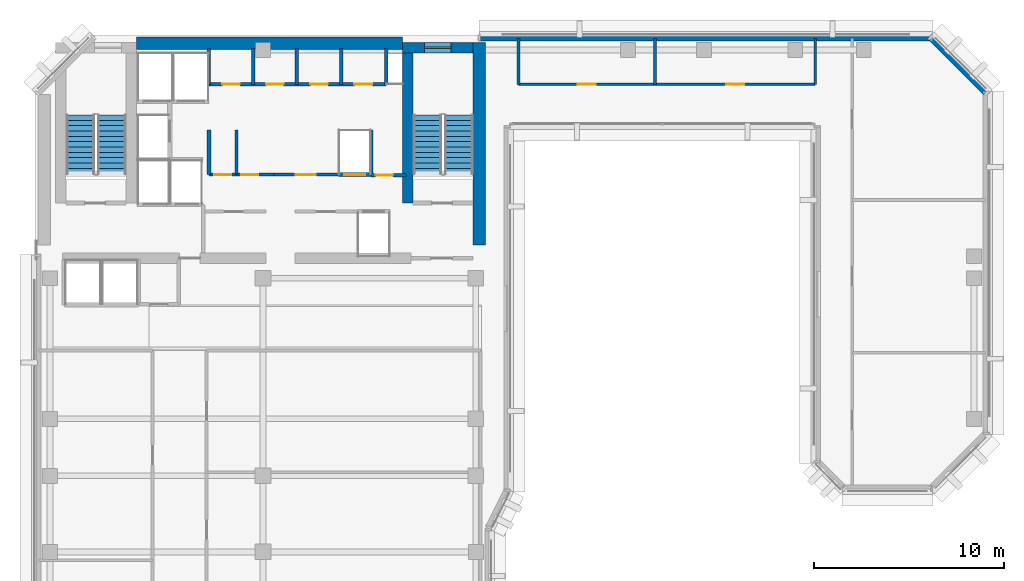
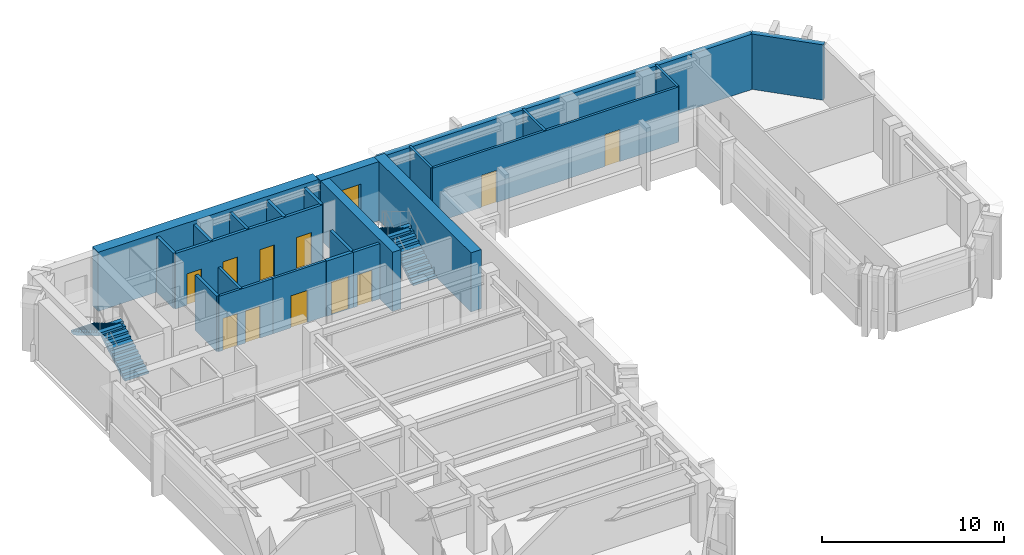
# One storey, part 7 of 11: 23 walls, 11 doors, 4 stair flights, 1 window, 12 openings, 2 elements without a shape of their own.
"""IFC4 building model written with IfcOpenShell, lengths in metres."""

from ifc_helpers import new_model, si_unit, direction, frame, frame_2d, origin, place, context, subcontext, project, spatial, polyline, rectangle, outline, extrude, material, layer, layer_set, type_object, element, fill, aggregate, save


model = new_model("IFC4")

# Units and contexts
model_context = context("Model", 3, precision=1e-05, world=origin(), true_north=direction((0.0, 1.0)))
body_context = subcontext(model_context, "Body", "Model", "MODEL_VIEW")
ifc_project = project(units=[si_unit("LENGTHUNIT", "METRE"), si_unit("AREAUNIT", "SQUARE_METRE"), si_unit("VOLUMEUNIT", "CUBIC_METRE"), si_unit("PLANEANGLEUNIT", "RADIAN"), si_unit("MASSUNIT", "GRAM", prefix="KILO")], contexts=[model_context])

# Site, building, storey
site_placement = place(None, origin())
site = spatial("IfcSite", under=ifc_project, at=site_placement, CompositionType="ELEMENT")
building_placement = place(site_placement, origin())
building = spatial("IfcBuilding", under=site, at=building_placement, Name="Kefirva Bronze Tower", CompositionType="ELEMENT")
storey_placement = place(building_placement, frame((0.0, 0.0, 243.5400390625)))
storey = spatial("IfcBuildingStorey", under=building, at=storey_placement, Name="L59", CompositionType="ELEMENT", Elevation=243.5400390625)

# Wall, opening, door
ifc_material_1 = material(Name="Gypsum acoustic partition")
ifc_layer_1 = layer(ifc_material_1, 0.14990234375, Name="Gypsum acoustic partition")
ifc_layer_set_1 = layer_set([ifc_layer_1], Name="Gypsum acoustic partition")
wall_type_1 = type_object("IfcWallType", Name="Executive Suite Partition 150mm", PredefinedType="PARTITIONING", material=ifc_layer_set_1)
wall_1_placement = place(storey_placement, frame((12.580078125, 38.64990234375, 0.0), z_axis=(0.0, 0.0, 1.0), x_axis=(1.0, 0.0, 0.0)))
wall_1 = element("IfcWall", 1, at=wall_1_placement, inside=storey, type_object=wall_type_1, Name="L59 Partition W-L59-RECMP2", PredefinedType="PARTITIONING", context=body_context, shape_type="SweptSolid", body=[
    extrude(rectangle(XDim=3.3798828125, YDim=0.14990234375, at=frame_2d((1.68994140625, 0.0))), origin(), (0.0, 0.0, 1.0), 3.7099609375),
])
opening_1_placement = place(wall_1_placement, frame((2.199951171875, 0.0, 0.0), z_axis=(0.0, 0.0, 1.0), x_axis=(-1.0, 0.0, 0.0)))
opening_1 = element("IfcOpeningElement", 2, at=opening_1_placement, cuts=wall_1, Name="Opening L59-D-RECMP2", PredefinedType="OPENING", context=body_context, shape_type="SweptSolid", body=[
    extrude(rectangle(XDim=1.050048828125, YDim=2.14990234375, at=frame_2d((0.52490234375, 1.074951171875))), frame((0.0, 0.0849609375, 0.0), z_axis=(0.0, -1.0, 0.0), x_axis=(1.0, 0.0, 0.0)), (0.0, 0.0, 1.0), 0.169921875),
])
ifc_material_2 = material(Name="Acoustic hardwood oak", Category="wood")
door_type_1 = type_object("IfcDoorType", Name="Executive & Boardroom Door 1050x2150", OperationType="NOTDEFINED", PredefinedType="DOOR", material=ifc_material_2)
door_1_placement = place(opening_1_placement, origin())
door_1 = element("IfcDoor", 3, at=door_1_placement, inside=storey, type_object=door_type_1, Name="Door L59-D-RECMP2", OperationType="SINGLE_SWING_LEFT", OverallHeight=2.14990234375, OverallWidth=1.050048828125, PredefinedType="DOOR", context=body_context, shape_type="SweptSolid", body=[
    extrude(rectangle(XDim=1.050048828125, YDim=2.14990234375, at=frame_2d((0.52490234375, 1.074951171875))), frame((0.0, 0.02490234375, 0.0), z_axis=(0.0, -1.0, 0.0), x_axis=(1.0, 0.0, 0.0)), (0.0, 0.0, 1.0), 0.050048828125),
])
fill(opening_1, door_1)

# Wall, openings, doors
wall_2_placement = place(storey_placement, frame((25.449951171875, 43.39990234375, 0.0), z_axis=(0.0, 0.0, 1.0), x_axis=(1.0, 0.0, 0.0)))
wall_2 = element("IfcWall", 4, at=wall_2_placement, inside=storey, type_object=wall_type_1, Name="L59 Partition W-L59-PBRGN", PredefinedType="PARTITIONING", context=body_context, shape_type="SweptSolid", body=[
    extrude(rectangle(XDim=15.60009765625, YDim=0.14990234375, at=frame_2d((7.800048828125, 0.0))), origin(), (0.0, 0.0, 1.0), 3.7099609375),
])
opening_2_placement = place(wall_2_placement, frame((3.113037109375, 0.0, 0.0)))
opening_2 = element("IfcOpeningElement", 5, at=opening_2_placement, cuts=wall_2, Name="Opening L59-D-PBN1", PredefinedType="OPENING", context=body_context, shape_type="SweptSolid", body=[
    extrude(rectangle(XDim=0.949951171875, YDim=2.14990234375, at=frame_2d((0.47509765625, 1.074951171875))), frame((0.0, 0.0849609375, 0.0), z_axis=(0.0, -1.0, 0.0), x_axis=(1.0, 0.0, 0.0)), (0.0, 0.0, 1.0), 0.169921875),
])
opening_3_placement = place(wall_2_placement, frame((10.9130859375, 0.0, 0.0)))
opening_3 = element("IfcOpeningElement", 6, at=opening_3_placement, cuts=wall_2, Name="Opening L59-D-PBN2", PredefinedType="OPENING", context=body_context, shape_type="SweptSolid", body=[
    extrude(rectangle(XDim=0.949951171875, YDim=2.14990234375, at=frame_2d((0.47509765625, 1.074951171875))), frame((0.0, 0.0849609375, 0.0), z_axis=(0.0, -1.0, 0.0), x_axis=(1.0, 0.0, 0.0)), (0.0, 0.0, 1.0), 0.169921875),
])
door_type_2 = type_object("IfcDoorType", Name="Office & Meeting Room Door 950x2150", OperationType="NOTDEFINED", PredefinedType="DOOR", material=ifc_material_2)
door_2_placement = place(opening_2_placement, origin())
door_2 = element("IfcDoor", 7, at=door_2_placement, inside=storey, type_object=door_type_2, Name="Door L59-D-PBN1", OperationType="SINGLE_SWING_LEFT", OverallHeight=2.14990234375, OverallWidth=0.949951171875, PredefinedType="DOOR", context=body_context, shape_type="SweptSolid", body=[
    extrude(rectangle(XDim=0.949951171875, YDim=2.14990234375, at=frame_2d((0.47509765625, 1.074951171875))), frame((0.0, 0.02490234375, 0.0), z_axis=(0.0, -1.0, 0.0), x_axis=(1.0, 0.0, 0.0)), (0.0, 0.0, 1.0), 0.050048828125),
])
fill(opening_2, door_2)
door_3_placement = place(opening_3_placement, origin())
door_3 = element("IfcDoor", 8, at=door_3_placement, inside=storey, type_object=door_type_2, Name="Door L59-D-PBN2", OperationType="SINGLE_SWING_RIGHT", OverallHeight=2.14990234375, OverallWidth=0.949951171875, PredefinedType="DOOR", context=body_context, shape_type="SweptSolid", body=[
    extrude(rectangle(XDim=0.949951171875, YDim=2.14990234375, at=frame_2d((0.47509765625, 1.074951171875))), frame((0.0, 0.02490234375, 0.0), z_axis=(0.0, -1.0, 0.0), x_axis=(1.0, 0.0, 0.0)), (0.0, 0.0, 1.0), 0.050048828125),
])
fill(opening_3, door_3)

# Walls
for number, where, z_axis, x_axis, name in (
    (9, (25.449951171875, 43.39990234375, 0.0), (0.0, 0.0, 1.0), (0.0, 1.0, 0.0), "L59 Partition W-L59-PBRGW"),
    (10, (41.050048828125, 43.39990234375, 0.0), (0.0, 0.0, 1.0), (0.0, 1.0, 0.0), "L59 Partition W-L59-PBRGE"),
    (11, (32.6259765625, 43.39990234375, 0.0), (0.0, 0.0, 1.0), (0.0, 1.0, 0.0), "L59 Partition W-L59-PBND1"),
):
    element("IfcWall", number, at=place(storey_placement, frame(where, z_axis=z_axis, x_axis=x_axis)), inside=storey, type_object=wall_type_1, Name=name, PredefinedType="PARTITIONING", context=body_context, shape_type="SweptSolid", body=[
        extrude(rectangle(XDim=2.41015625, YDim=0.14990234375, at=frame_2d((1.205078125, 0.0))), origin(), (0.0, 0.0, 1.0), 3.7099609375),
    ])
ifc_material_3 = material(Name="Gypsum fireboard shaftwall")
ifc_layer_2 = layer(ifc_material_3, 0.219970703125, Name="Gypsum fireboard shaftwall")
ifc_layer_set_2 = layer_set([ifc_layer_2], Name="Gypsum fireboard shaftwall")
wall_type_2 = type_object("IfcWallType", Name="Fire-Rated Shaft Enclosure Wall 220mm", PredefinedType="PARTITIONING", material=ifc_layer_set_2)
for number, where, z_axis, x_axis, name in (
    (12, (9.159912109375, 38.64990234375, 0.0), (0.0, 0.0, 1.0), (0.0, 1.0, 0.0), "L59 Partition W-L59-LP3W"),
    (13, (17.679931640625, 38.64990234375, 0.0), (0.0, 0.0, 1.0), (0.0, 1.0, 0.0), "L59 Partition W-L59-HP2E"),
):
    element("IfcWall", number, at=place(storey_placement, frame(where, z_axis=z_axis, x_axis=x_axis)), inside=storey, type_object=wall_type_2, Name=name, PredefinedType="PARTITIONING", context=body_context, shape_type="SweptSolid", body=[
        extrude(rectangle(XDim=2.35009765625, YDim=0.199951171875, at=frame_2d((1.175048828125, 0.0))), origin(), (0.0, 0.0, 1.0), 3.7099609375),
    ])

# Wall, opening, door
wall_3_placement = place(storey_placement, frame((15.97998046875, 38.64990234375, 0.0), z_axis=(0.0, 0.0, 1.0), x_axis=(1.0, 0.0, 0.0)))
wall_3 = element("IfcWall", 14, at=wall_3_placement, inside=storey, type_object=wall_type_2, Name="L59 Partition W-L59-HPN", PredefinedType="PARTITIONING", context=body_context, shape_type="SweptSolid", body=[
    extrude(rectangle(XDim=1.719970703125, YDim=0.219970703125, at=frame_2d((0.85986328125, 0.0))), origin(), (0.0, 0.0, 1.0), 3.7099609375),
])
opening_4_placement = place(wall_3_placement, frame((0.300048828125, 0.0, 0.0)))
opening_4 = element("IfcOpeningElement", 15, at=opening_4_placement, cuts=wall_3, Name="Opening L59-LD-HP2", PredefinedType="OPENING", context=body_context, shape_type="SweptSolid", body=[
    extrude(rectangle(XDim=1.10009765625, YDim=2.199951171875, at=frame_2d((0.550048828125, 1.10009765625))), frame((0.0, 0.1201171875, 0.0), z_axis=(0.0, -1.0, 0.0), x_axis=(1.0, 0.0, 0.0)), (0.0, 0.0, 1.0), 0.239990234375),
])
ifc_material_4 = material(Name="Stainless steel 316", Category="steel")
door_type_3 = type_object("IfcDoorType", Name="Passenger Lift Sliding Landing Door 1100x2200", OperationType="SLIDING_TO_LEFT", PredefinedType="DOOR", material=ifc_material_4)
door_4_placement = place(opening_4_placement, origin())
door_4 = element("IfcDoor", 16, at=door_4_placement, inside=storey, type_object=door_type_3, Name="Door L59-LD-HP2", OperationType="SLIDING_TO_LEFT", OverallHeight=2.199951171875, OverallWidth=1.10009765625, PredefinedType="DOOR", context=body_context, shape_type="SweptSolid", body=[
    extrude(rectangle(XDim=1.10009765625, YDim=2.199951171875, at=frame_2d((0.550048828125, 1.10009765625))), frame((0.0, 0.02490234375, 0.0), z_axis=(0.0, -1.0, 0.0), x_axis=(1.0, 0.0, 0.0)), (0.0, 0.0, 1.0), 0.050048828125),
])
fill(opening_4, door_4)

ifc_material_5 = material(Name="Gypsum fireboard barrier")
ifc_layer_3 = layer(ifc_material_5, 0.199951171875, Name="Gypsum fireboard barrier")
ifc_layer_set_3 = layer_set([ifc_layer_3], Name="Gypsum fireboard barrier")
wall_type_3 = type_object("IfcWallType", Name="Firefighting Lobby Barrier Wall 200mm", PredefinedType="PARTITIONING", material=ifc_layer_set_3)
wall_4_placement = place(storey_placement, frame((17.679931640625, 38.6201171875, 0.0), z_axis=(0.0, 0.0, 1.0), x_axis=(1.0, 0.0, 0.0)))
wall_4 = element("IfcWall", 17, at=wall_4_placement, inside=storey, type_object=wall_type_3, Name="L59 Partition W-L59-CPASS", PredefinedType="PARTITIONING", context=body_context, shape_type="SweptSolid", body=[
    extrude(rectangle(XDim=1.840087890625, YDim=0.179931640625, at=frame_2d((0.919921875, 0.0))), origin(), (0.0, 0.0, 1.0), 3.7099609375),
])
opening_5_placement = place(wall_4_placement, frame((0.239990234375, 0.0, 0.0)))
opening_5 = element("IfcOpeningElement", 18, at=opening_5_placement, cuts=wall_4, Name="Opening L59-D-CPAS", PredefinedType="OPENING", context=body_context, shape_type="SweptSolid", body=[
    extrude(rectangle(XDim=0.919921875, YDim=2.10009765625, at=frame_2d((0.4599609375, 1.050048828125))), frame((0.0, 0.10009765625, 0.0), z_axis=(0.0, -1.0, 0.0), x_axis=(1.0, 0.0, 0.0)), (0.0, 0.0, 1.0), 0.199951171875),
])
ifc_material_6 = material(Name="Moisture-resistant timber", Category="wood")
door_type_4 = type_object("IfcDoorType", Name="Accessible Sanitary & WC Door 920x2100", OperationType="NOTDEFINED", PredefinedType="DOOR", material=ifc_material_6)
door_5_placement = place(opening_5_placement, origin())
door_5 = element("IfcDoor", 19, at=door_5_placement, inside=storey, type_object=door_type_4, Name="Door L59-D-CPAS", OperationType="SINGLE_SWING_LEFT", OverallHeight=2.10009765625, OverallWidth=0.919921875, PredefinedType="DOOR", context=body_context, shape_type="SweptSolid", body=[
    extrude(rectangle(XDim=0.919921875, YDim=2.10009765625, at=frame_2d((0.4599609375, 1.050048828125))), frame((0.0, 0.02490234375, 0.0), z_axis=(0.0, -1.0, 0.0), x_axis=(1.0, 0.0, 0.0)), (0.0, 0.0, 1.0), 0.050048828125),
])
fill(opening_5, door_5)

# Walls
ifc_material_7 = material(Name="Precast concrete C40/50", Category="concrete")
ifc_layer_4 = layer(ifc_material_7, 0.320068359375, Name="Precast concrete C40/50")
ifc_layer_set_4 = layer_set([ifc_layer_4], Name="Precast concrete C40/50")
wall_type_4 = type_object("IfcWallType", Name="Precast Insulated Exterior Wall 320mm", PredefinedType="SOLIDWALL", material=ifc_layer_set_4)
wall_5_placement = place(storey_placement, frame((50.048095703125, 42.92578125, 0.0), z_axis=(0.0, 0.0, 1.0), x_axis=(-0.707136318428, 0.707077242712, 0.0)))
element("IfcWall", 20, at=wall_5_placement, inside=storey, type_object=wall_type_4, Name="L59 Exterior Facade Wall 10", PredefinedType="SOLIDWALL", context=body_context, shape_type="SweptSolid", body=[
    extrude(rectangle(XDim=4.132568359375, YDim=0.320068359375, at=frame_2d((2.06640625, 0.0))), origin(), (0.0, 0.0, 1.0), 3.7099609375),
])
wall_6_placement = place(storey_placement, frame((47.14501953125, 45.840087890625, 0.0), z_axis=(0.0, 0.0, 1.0), x_axis=(-1.0, 0.0, 0.0)))
element("IfcWall", 21, at=wall_6_placement, inside=storey, type_object=wall_type_4, Name="L59 Exterior Facade Wall 11", PredefinedType="SOLIDWALL", context=body_context, shape_type="SweptSolid", body=[
    extrude(rectangle(XDim=23.739990234375, YDim=0.320068359375, at=frame_2d((11.8701171875, 0.0))), origin(), (0.0, 0.0, 1.0), 3.7099609375),
])

# Wall, openings, doors
ifc_layer_5 = layer(ifc_material_1, 0.159912109375, Name="Gypsum acoustic partition")
ifc_layer_set_5 = layer_set([ifc_layer_5], Name="Gypsum acoustic partition")
wall_type_5 = type_object("IfcWallType", Name="Protected Corridor Partition 160mm", PredefinedType="PARTITIONING", material=ifc_layer_set_5)
wall_7_placement = place(storey_placement, frame((9.159912109375, 38.64990234375, 0.0), z_axis=(0.0, 0.0, 1.0), x_axis=(1.0, 0.0, 0.0)))
wall_7 = element("IfcWall", 22, at=wall_7_placement, inside=storey, type_object=wall_type_5, Name="L59 Partition W-L59-RECLP2", PredefinedType="PARTITIONING", context=body_context, shape_type="SweptSolid", body=[
    extrude(rectangle(XDim=3.420166015625, YDim=0.159912109375, at=frame_2d((1.7099609375, 0.0))), origin(), (0.0, 0.0, 1.0), 3.7099609375),
])
opening_6_placement = place(wall_7_placement, frame((1.179931640625, 0.0, 0.0), z_axis=(0.0, 0.0, 1.0), x_axis=(-1.0, 0.0, 0.0)))
opening_6 = element("IfcOpeningElement", 23, at=opening_6_placement, cuts=wall_7, Name="Opening L59-D-RECLP2A", PredefinedType="OPENING", context=body_context, shape_type="SweptSolid", body=[
    extrude(rectangle(XDim=0.89990234375, YDim=2.14990234375, at=frame_2d((0.449951171875, 1.074951171875))), frame((0.0, 0.08984375, 0.0), z_axis=(0.0, -1.0, 0.0), x_axis=(1.0, 0.0, 0.0)), (0.0, 0.0, 1.0), 0.179931640625),
])
opening_7_placement = place(wall_7_placement, frame((2.599853515625, 0.0, 0.0), z_axis=(0.0, 0.0, 1.0), x_axis=(-1.0, 0.0, 0.0)))
opening_7 = element("IfcOpeningElement", 24, at=opening_7_placement, cuts=wall_7, Name="Opening L59-D-RECLP2B", PredefinedType="OPENING", context=body_context, shape_type="SweptSolid", body=[
    extrude(rectangle(XDim=0.89990234375, YDim=2.14990234375, at=frame_2d((0.449951171875, 1.074951171875))), frame((0.0, 0.08984375, 0.0), z_axis=(0.0, -1.0, 0.0), x_axis=(1.0, 0.0, 0.0)), (0.0, 0.0, 1.0), 0.179931640625),
])
ifc_material_8 = material(Name="Painted galvanized steel", Category="steel")
door_type_5 = type_object("IfcDoorType", Name="Core Archive & Server Fire Door 900x2150 FD60S", OperationType="NOTDEFINED", PredefinedType="DOOR", material=ifc_material_8)
door_6_placement = place(opening_6_placement, origin())
door_6 = element("IfcDoor", 25, at=door_6_placement, inside=storey, type_object=door_type_5, Name="Door L59-D-RECLP2A", OperationType="SINGLE_SWING_RIGHT", OverallHeight=2.14990234375, OverallWidth=0.89990234375, PredefinedType="DOOR", context=body_context, shape_type="SweptSolid", body=[
    extrude(rectangle(XDim=0.89990234375, YDim=2.14990234375, at=frame_2d((0.449951171875, 1.074951171875))), frame((0.0, 0.02490234375, 0.0), z_axis=(0.0, -1.0, 0.0), x_axis=(1.0, 0.0, 0.0)), (0.0, 0.0, 1.0), 0.050048828125),
])
fill(opening_6, door_6)
door_7_placement = place(opening_7_placement, origin())
door_7 = element("IfcDoor", 26, at=door_7_placement, inside=storey, type_object=door_type_5, Name="Door L59-D-RECLP2B", OperationType="SINGLE_SWING_LEFT", OverallHeight=2.14990234375, OverallWidth=0.89990234375, PredefinedType="DOOR", context=body_context, shape_type="SweptSolid", body=[
    extrude(rectangle(XDim=0.89990234375, YDim=2.14990234375, at=frame_2d((0.449951171875, 1.074951171875))), frame((0.0, 0.02490234375, 0.0), z_axis=(0.0, -1.0, 0.0), x_axis=(1.0, 0.0, 0.0)), (0.0, 0.0, 1.0), 0.050048828125),
])
fill(opening_7, door_7)

# Wall
wall_8_placement = place(storey_placement, frame((10.60009765625, 38.64990234375, 0.0), z_axis=(0.0, 0.0, 1.0), x_axis=(0.0, 1.0, 0.0)))
element("IfcWall", 27, at=wall_8_placement, inside=storey, type_object=wall_type_5, Name="L59 Partition W-L59-RECLP2D", PredefinedType="PARTITIONING", context=body_context, shape_type="SweptSolid", body=[
    extrude(rectangle(XDim=2.35009765625, YDim=0.159912109375, at=frame_2d((1.175048828125, 0.0))), origin(), (0.0, 0.0, 1.0), 3.7099609375),
])

# Wall, opening, window
ifc_material_9 = material(Name="Concrete C50/60", Category="concrete")
ifc_layer_6 = layer(ifc_material_9, 0.550048828125, Name="Concrete C50/60")
ifc_layer_set_6 = layer_set([ifc_layer_6], Name="Concrete C50/60")
wall_type_6 = type_object("IfcWallType", Name="RC Rear Core Exterior Wall 550mm", PredefinedType="SHEAR", material=ifc_layer_set_6)
wall_9_placement = place(storey_placement, frame((19.35009765625, 45.320068359375, 0.0), z_axis=(0.0, 0.0, 1.0), x_axis=(1.0, 0.0, 0.0)))
wall_9 = element("IfcWall", 28, at=wall_9_placement, inside=storey, type_object=wall_type_6, Name="L59 Stair 2 North Shear Wall", PredefinedType="SHEAR", context=body_context, shape_type="SweptSolid", body=[
    extrude(rectangle(XDim=3.68994140625, YDim=0.550048828125, at=frame_2d((1.844970703125, 0.0))), origin(), (0.0, 0.0, 1.0), 3.9599609375),
])
opening_8_placement = place(wall_9_placement, frame((1.14990234375, 0.0, 1.050048828125)))
opening_8 = element("IfcOpeningElement", 29, at=opening_8_placement, cuts=wall_9, Name="Opening WN-03", PredefinedType="OPENING", context=body_context, shape_type="SweptSolid", body=[
    extrude(rectangle(XDim=1.39990234375, YDim=1.800048828125, at=frame_2d((0.699951171875, 0.89990234375))), frame((0.0, 0.28515625, 0.0), z_axis=(0.0, -1.0, 0.0), x_axis=(1.0, 0.0, 0.0)), (0.0, 0.0, 1.0), 0.570068359375),
])
ifc_material_10 = material(Name="Laminated low-E double glazing", Category="glass")
window_type = type_object("IfcWindowType", Name="Rear-Core Stair Daylight Window 1400x1800", PartitioningType="SINGLE_PANEL", PredefinedType="WINDOW", material=ifc_material_10)
window_placement = place(opening_8_placement, origin())
window = element("IfcWindow", 30, at=window_placement, inside=storey, type_object=window_type, Name="L59 Stair 2 Daylight Window", OverallHeight=1.800048828125, OverallWidth=1.39990234375, PartitioningType="SINGLE_PANEL", PredefinedType="WINDOW", context=body_context, shape_type="SweptSolid", body=[
    extrude(rectangle(XDim=1.39990234375, YDim=1.800048828125, at=frame_2d((0.699951171875, 0.89990234375))), frame((0.0, 0.030029296875, 0.0), z_axis=(0.0, -1.0, 0.0), x_axis=(1.0, 0.0, 0.0)), (0.0, 0.0, 1.0), 0.06005859375),
])
fill(opening_8, window)

# Walls
ifc_layer_7 = layer(ifc_material_9, 0.64990234375, Name="Concrete C50/60")
ifc_layer_set_7 = layer_set([ifc_layer_7], Name="Concrete C50/60")
wall_type_7 = type_object("IfcWallType", Name="RC Rear Core Exterior Wall 650mm", PredefinedType="SHEAR", material=ifc_layer_set_7)
wall_10_placement = place(storey_placement, frame((5.360107421875, 45.550048828125, 0.0), z_axis=(0.0, 0.0, 1.0), x_axis=(1.0, 0.0, 0.0)))
element("IfcWall", 31, at=wall_10_placement, inside=storey, type_object=wall_type_7, Name="L59 Rear Core North Shear Wall", PredefinedType="SHEAR", context=body_context, shape_type="SweptSolid", body=[
    extrude(rectangle(XDim=13.97998046875, YDim=0.64990234375, at=frame_2d((6.989990234375, 0.0))), origin(), (0.0, 0.0, 1.0), 3.9599609375),
])
ifc_layer_8 = layer(ifc_material_9, 0.550048828125, Name="Concrete C50/60")
ifc_layer_set_8 = layer_set([ifc_layer_8], Name="Concrete C50/60")
wall_type_8 = type_object("IfcWallType", Name="RC Rear Core Interior Wall 550mm", PredefinedType="SHEAR", material=ifc_layer_set_8)
wall_11_placement = place(storey_placement, frame((19.6201171875, 37.14990234375, 0.0), z_axis=(0.0, 0.0, 1.0), x_axis=(0.0, 1.0, 0.0)))
element("IfcWall", 32, at=wall_11_placement, inside=storey, type_object=wall_type_8, Name="L59 Stair 2 West Shear Wall", PredefinedType="SHEAR", context=body_context, shape_type="SweptSolid", body=[
    extrude(rectangle(XDim=7.89013671875, YDim=0.550048828125, at=frame_2d((3.945068359375, 0.0))), origin(), (0.0, 0.0, 1.0), 3.9599609375),
])
ifc_layer_9 = layer(ifc_material_9, 0.64990234375, Name="Concrete C50/60")
ifc_layer_set_9 = layer_set([ifc_layer_9], Name="Concrete C50/60")
wall_type_9 = type_object("IfcWallType", Name="RC Rear Core Interior Wall 650mm", PredefinedType="SHEAR", material=ifc_layer_set_9)
wall_12_placement = place(storey_placement, frame((23.375, 34.949951171875, 0.0), z_axis=(0.0, 0.0, 1.0), x_axis=(0.0, 1.0, 0.0)))
element("IfcWall", 33, at=wall_12_placement, inside=storey, type_object=wall_type_9, Name="L59 Rear Core East Shear Wall", PredefinedType="SHEAR", context=body_context, shape_type="SweptSolid", body=[
    extrude(rectangle(XDim=10.64013671875, YDim=0.64990234375, at=frame_2d((5.320068359375, 0.0))), origin(), (0.0, 0.0, 1.0), 3.9599609375),
])

# Wall, openings, doors
ifc_material_11 = material(Name="Moisture-resistant partition")
ifc_layer_10 = layer(ifc_material_11, 0.179931640625, Name="Moisture-resistant partition")
ifc_layer_set_10 = layer_set([ifc_layer_10], Name="Moisture-resistant partition")
wall_type_10 = type_object("IfcWallType", Name="Sanitary Plumbing Chase Wall 180mm", PredefinedType="PLUMBINGWALL", material=ifc_layer_set_10)
wall_13_placement = place(storey_placement, frame((9.14990234375, 43.39990234375, 0.0), z_axis=(0.0, 0.0, 1.0), x_axis=(1.0, 0.0, 0.0)))
wall_13 = element("IfcWall", 34, at=wall_13_placement, inside=storey, type_object=wall_type_10, Name="L59 Partition W-L59-SVCS", PredefinedType="PLUMBINGWALL", context=body_context, shape_type="SweptSolid", body=[
    extrude(rectangle(XDim=9.330078125, YDim=0.179931640625, at=frame_2d((4.6650390625, 0.0))), origin(), (0.0, 0.0, 1.0), 3.7099609375),
])
opening_9_placement = place(wall_13_placement, frame((0.719970703125, 0.0, 0.0)))
opening_9 = element("IfcOpeningElement", 35, at=opening_9_placement, cuts=wall_13, Name="Opening L59-D-CSVC1", PredefinedType="OPENING", context=body_context, shape_type="SweptSolid", body=[
    extrude(rectangle(XDim=0.919921875, YDim=2.10009765625, at=frame_2d((0.4599609375, 1.050048828125))), frame((0.0, 0.10009765625, 0.0), z_axis=(0.0, -1.0, 0.0), x_axis=(1.0, 0.0, 0.0)), (0.0, 0.0, 1.0), 0.199951171875),
])
opening_10_placement = place(wall_13_placement, frame((3.02001953125, 0.0, 0.0)))
opening_10 = element("IfcOpeningElement", 36, at=opening_10_placement, cuts=wall_13, Name="Opening L59-D-CSVC2", PredefinedType="OPENING", context=body_context, shape_type="SweptSolid", body=[
    extrude(rectangle(XDim=0.919921875, YDim=2.10009765625, at=frame_2d((0.4599609375, 1.050048828125))), frame((0.0, 0.10009765625, 0.0), z_axis=(0.0, -1.0, 0.0), x_axis=(1.0, 0.0, 0.0)), (0.0, 0.0, 1.0), 0.199951171875),
])
opening_11_placement = place(wall_13_placement, frame((5.340087890625, 0.0, 0.0)))
opening_11 = element("IfcOpeningElement", 37, at=opening_11_placement, cuts=wall_13, Name="Opening L59-D-CSVC3", PredefinedType="OPENING", context=body_context, shape_type="SweptSolid", body=[
    extrude(rectangle(XDim=0.919921875, YDim=2.10009765625, at=frame_2d((0.4599609375, 1.050048828125))), frame((0.0, 0.10009765625, 0.0), z_axis=(0.0, -1.0, 0.0), x_axis=(1.0, 0.0, 0.0)), (0.0, 0.0, 1.0), 0.199951171875),
])
opening_12_placement = place(wall_13_placement, frame((7.659912109375, 0.0, 0.0)))
opening_12 = element("IfcOpeningElement", 38, at=opening_12_placement, cuts=wall_13, Name="Opening L59-D-CSVC4", PredefinedType="OPENING", context=body_context, shape_type="SweptSolid", body=[
    extrude(rectangle(XDim=0.949951171875, YDim=2.10009765625, at=frame_2d((0.47509765625, 1.050048828125))), frame((0.0, 0.10009765625, 0.0), z_axis=(0.0, -1.0, 0.0), x_axis=(1.0, 0.0, 0.0)), (0.0, 0.0, 1.0), 0.199951171875),
])
door_8_placement = place(opening_9_placement, origin())
door_8 = element("IfcDoor", 39, at=door_8_placement, inside=storey, type_object=door_type_4, Name="Door L59-D-CSVC1", OperationType="SINGLE_SWING_RIGHT", OverallHeight=2.10009765625, OverallWidth=0.919921875, PredefinedType="DOOR", context=body_context, shape_type="SweptSolid", body=[
    extrude(rectangle(XDim=0.919921875, YDim=2.10009765625, at=frame_2d((0.4599609375, 1.050048828125))), frame((0.0, 0.02490234375, 0.0), z_axis=(0.0, -1.0, 0.0), x_axis=(1.0, 0.0, 0.0)), (0.0, 0.0, 1.0), 0.050048828125),
])
fill(opening_9, door_8)
door_9_placement = place(opening_10_placement, origin())
door_9 = element("IfcDoor", 40, at=door_9_placement, inside=storey, type_object=door_type_4, Name="Door L59-D-CSVC2", OperationType="SINGLE_SWING_LEFT", OverallHeight=2.10009765625, OverallWidth=0.919921875, PredefinedType="DOOR", context=body_context, shape_type="SweptSolid", body=[
    extrude(rectangle(XDim=0.919921875, YDim=2.10009765625, at=frame_2d((0.4599609375, 1.050048828125))), frame((0.0, 0.02490234375, 0.0), z_axis=(0.0, -1.0, 0.0), x_axis=(1.0, 0.0, 0.0)), (0.0, 0.0, 1.0), 0.050048828125),
])
fill(opening_10, door_9)
door_10_placement = place(opening_11_placement, origin())
door_10 = element("IfcDoor", 41, at=door_10_placement, inside=storey, type_object=door_type_4, Name="Door L59-D-CSVC3", OperationType="SINGLE_SWING_RIGHT", OverallHeight=2.10009765625, OverallWidth=0.919921875, PredefinedType="DOOR", context=body_context, shape_type="SweptSolid", body=[
    extrude(rectangle(XDim=0.919921875, YDim=2.10009765625, at=frame_2d((0.4599609375, 1.050048828125))), frame((0.0, 0.02490234375, 0.0), z_axis=(0.0, -1.0, 0.0), x_axis=(1.0, 0.0, 0.0)), (0.0, 0.0, 1.0), 0.050048828125),
])
fill(opening_11, door_10)
door_type_6 = type_object("IfcDoorType", Name="Riser & Plant Shaft Fire Door 950x2100 FD60S", OperationType="NOTDEFINED", PredefinedType="DOOR", material=ifc_material_8)
door_11_placement = place(opening_12_placement, origin())
door_11 = element("IfcDoor", 42, at=door_11_placement, inside=storey, type_object=door_type_6, Name="Door L59-D-CSVC4", OperationType="SINGLE_SWING_LEFT", OverallHeight=2.10009765625, OverallWidth=0.949951171875, PredefinedType="DOOR", context=body_context, shape_type="SweptSolid", body=[
    extrude(rectangle(XDim=0.949951171875, YDim=2.10009765625, at=frame_2d((0.47509765625, 1.050048828125))), frame((0.0, 0.02490234375, 0.0), z_axis=(0.0, -1.0, 0.0), x_axis=(1.0, 0.0, 0.0)), (0.0, 0.0, 1.0), 0.050048828125),
])
fill(opening_12, door_11)

# Walls
for number, where, z_axis, x_axis, name in (
    (43, (9.14990234375, 43.39990234375, 0.0), (0.0, 0.0, 1.0), (0.0, 1.0, 0.0), "L59 Partition W-L59-SVCW"),
    (44, (18.47998046875, 43.39990234375, 0.0), (0.0, 0.0, 1.0), (0.0, 1.0, 0.0), "L59 Partition W-L59-SVCE"),
    (45, (11.47998046875, 43.39990234375, 0.0), (0.0, 0.0, 1.0), (0.0, 1.0, 0.0), "L59 Partition W-L59-CSVD-1"),
    (46, (13.780029296875, 43.39990234375, 0.0), (0.0, 0.0, 1.0), (0.0, 1.0, 0.0), "L59 Partition W-L59-CSVD-2"),
    (47, (16.1201171875, 43.39990234375, 0.0), (0.0, 0.0, 1.0), (0.0, 1.0, 0.0), "L59 Partition W-L59-CSVD-3"),
):
    element("IfcWall", number, at=place(storey_placement, frame(where, z_axis=z_axis, x_axis=x_axis)), inside=storey, type_object=wall_type_10, Name=name, PredefinedType="PLUMBINGWALL", context=body_context, shape_type="SweptSolid", body=[
        extrude(rectangle(XDim=1.880126953125, YDim=0.179931640625, at=frame_2d((0.93994140625, 0.0))), origin(), (0.0, 0.0, 1.0), 3.7099609375),
    ])

# Stair, stair flights
ifc_material_12 = material(Name="Concrete C40/50", Category="concrete")
stair_type = type_object("IfcStairType", Name="RC Dogleg Protected Stair 24R", PredefinedType="HALF_TURN_STAIR", material=ifc_material_12)
stair_1_placement = place(storey_placement, origin())
stair_1 = element("IfcStair", 48, at=stair_1_placement, inside=storey, type_object=stair_type, Name="L59 Protected Exit Stair 1", PredefinedType="HALF_TURN_STAIR")
stair_flight_type = type_object("IfcStairFlightType", Name="RC Straight Stair Flight 24R", PredefinedType="STRAIGHT", material=ifc_material_12)
stair_flight_1_placement = place(storey_placement, frame((4.050048828125, 38.699951171875, 0.0), z_axis=(0.0, 0.0, 1.0), x_axis=(0.0, 1.0, 0.0)))
stair_flight_1 = element("IfcStairFlight", 49, at=stair_flight_1_placement, type_object=stair_flight_type, Name="ST-1 flight 1", NumberOfRisers=12, NumberOfTreads=11, PredefinedType="STRAIGHT", RiserHeight=0.165, TreadLength=0.28, context=body_context, shape_type="SweptSolid", body=[
    extrude(outline(polyline([(0.0, 0.0), (0.0, 0.1650390625), (0.280029296875, 0.1650390625), (0.280029296875, 0.330078125), (0.56005859375, 0.330078125), (0.56005859375, 0.4951171875), (0.840087890625, 0.4951171875), (0.840087890625, 0.659912109375), (1.1201171875, 0.659912109375), (1.1201171875, 0.824951171875), (1.39990234375, 0.824951171875), (1.39990234375, 0.989990234375), (1.679931640625, 0.989990234375), (1.679931640625, 1.155029296875), (1.9599609375, 1.155029296875), (1.9599609375, 1.320068359375), (2.239990234375, 1.320068359375), (2.239990234375, 1.485107421875), (2.52001953125, 1.485107421875), (2.52001953125, 1.64990234375), (2.800048828125, 1.64990234375), (2.800048828125, 1.81494140625), (3.080078125, 1.81494140625), (3.080078125, 1.97998046875), (3.080078125, 1.64111328125), (0.295166015625, 0.0), (0.0, 0.0)])), frame((0.0, 0.75, 0.0), z_axis=(0.0, -1.0, 0.0), x_axis=(1.0, 0.0, 0.0)), (0.0, 0.0, 1.0), 1.5),
])
stair_flight_2_placement = place(storey_placement, frame((2.39990234375, 41.780029296875, 1.97998046875), z_axis=(0.0, 0.0, 1.0), x_axis=(0.0, -1.0, 0.0)))
stair_flight_2 = element("IfcStairFlight", 50, at=stair_flight_2_placement, type_object=stair_flight_type, Name="ST-1 flight 2", NumberOfRisers=12, NumberOfTreads=11, PredefinedType="STRAIGHT", RiserHeight=0.165, TreadLength=0.28, context=body_context, shape_type="SweptSolid", body=[
    extrude(outline(polyline([(0.0, 0.0), (0.0, 0.1650390625), (0.280029296875, 0.1650390625), (0.280029296875, 0.330078125), (0.56005859375, 0.330078125), (0.56005859375, 0.4951171875), (0.840087890625, 0.4951171875), (0.840087890625, 0.659912109375), (1.1201171875, 0.659912109375), (1.1201171875, 0.824951171875), (1.39990234375, 0.824951171875), (1.39990234375, 0.989990234375), (1.679931640625, 0.989990234375), (1.679931640625, 1.155029296875), (1.9599609375, 1.155029296875), (1.9599609375, 1.320068359375), (2.239990234375, 1.320068359375), (2.239990234375, 1.485107421875), (2.52001953125, 1.485107421875), (2.52001953125, 1.64990234375), (2.800048828125, 1.64990234375), (2.800048828125, 1.81494140625), (3.080078125, 1.81494140625), (3.080078125, 1.97998046875), (3.080078125, 1.64111328125), (0.295166015625, 0.0), (0.0, 0.0)])), frame((0.0, 0.75, 0.0), z_axis=(0.0, -1.0, 0.0), x_axis=(1.0, 0.0, 0.0)), (0.0, 0.0, 1.0), 1.5),
])
aggregate(stair_1, [stair_flight_1, stair_flight_2])

stair_2_placement = place(storey_placement, origin())
stair_2 = element("IfcStair", 51, at=stair_2_placement, inside=storey, type_object=stair_type, Name="L59 Protected Exit Stair 2", PredefinedType="HALF_TURN_STAIR")
stair_flight_3_placement = place(storey_placement, frame((22.300048828125, 38.699951171875, 0.0), z_axis=(0.0, 0.0, 1.0), x_axis=(0.0, 1.0, 0.0)))
stair_flight_3 = element("IfcStairFlight", 52, at=stair_flight_3_placement, type_object=stair_flight_type, Name="ST-2 flight 1", NumberOfRisers=12, NumberOfTreads=11, PredefinedType="STRAIGHT", RiserHeight=0.165, TreadLength=0.28, context=body_context, shape_type="SweptSolid", body=[
    extrude(outline(polyline([(0.0, 0.0), (0.0, 0.1650390625), (0.280029296875, 0.1650390625), (0.280029296875, 0.330078125), (0.56005859375, 0.330078125), (0.56005859375, 0.4951171875), (0.840087890625, 0.4951171875), (0.840087890625, 0.659912109375), (1.1201171875, 0.659912109375), (1.1201171875, 0.824951171875), (1.39990234375, 0.824951171875), (1.39990234375, 0.989990234375), (1.679931640625, 0.989990234375), (1.679931640625, 1.155029296875), (1.9599609375, 1.155029296875), (1.9599609375, 1.320068359375), (2.239990234375, 1.320068359375), (2.239990234375, 1.485107421875), (2.52001953125, 1.485107421875), (2.52001953125, 1.64990234375), (2.800048828125, 1.64990234375), (2.800048828125, 1.81494140625), (3.080078125, 1.81494140625), (3.080078125, 1.97998046875), (3.080078125, 1.64111328125), (0.295166015625, 0.0), (0.0, 0.0)])), frame((0.0, 0.75, 0.0), z_axis=(0.0, -1.0, 0.0), x_axis=(1.0, 0.0, 0.0)), (0.0, 0.0, 1.0), 1.5),
])
stair_flight_4_placement = place(storey_placement, frame((20.64990234375, 41.780029296875, 1.97998046875), z_axis=(0.0, 0.0, 1.0), x_axis=(0.0, -1.0, 0.0)))
stair_flight_4 = element("IfcStairFlight", 53, at=stair_flight_4_placement, type_object=stair_flight_type, Name="ST-2 flight 2", NumberOfRisers=12, NumberOfTreads=11, PredefinedType="STRAIGHT", RiserHeight=0.165, TreadLength=0.28, context=body_context, shape_type="SweptSolid", body=[
    extrude(outline(polyline([(0.0, 0.0), (0.0, 0.1650390625), (0.280029296875, 0.1650390625), (0.280029296875, 0.330078125), (0.56005859375, 0.330078125), (0.56005859375, 0.4951171875), (0.840087890625, 0.4951171875), (0.840087890625, 0.659912109375), (1.1201171875, 0.659912109375), (1.1201171875, 0.824951171875), (1.39990234375, 0.824951171875), (1.39990234375, 0.989990234375), (1.679931640625, 0.989990234375), (1.679931640625, 1.155029296875), (1.9599609375, 1.155029296875), (1.9599609375, 1.320068359375), (2.239990234375, 1.320068359375), (2.239990234375, 1.485107421875), (2.52001953125, 1.485107421875), (2.52001953125, 1.64990234375), (2.800048828125, 1.64990234375), (2.800048828125, 1.81494140625), (3.080078125, 1.81494140625), (3.080078125, 1.97998046875), (3.080078125, 1.64111328125), (0.295166015625, 0.0), (0.0, 0.0)])), frame((0.0, 0.75, 0.0), z_axis=(0.0, -1.0, 0.0), x_axis=(1.0, 0.0, 0.0)), (0.0, 0.0, 1.0), 1.5),
])
aggregate(stair_2, [stair_flight_3, stair_flight_4])

save(model, "model.ifc")
